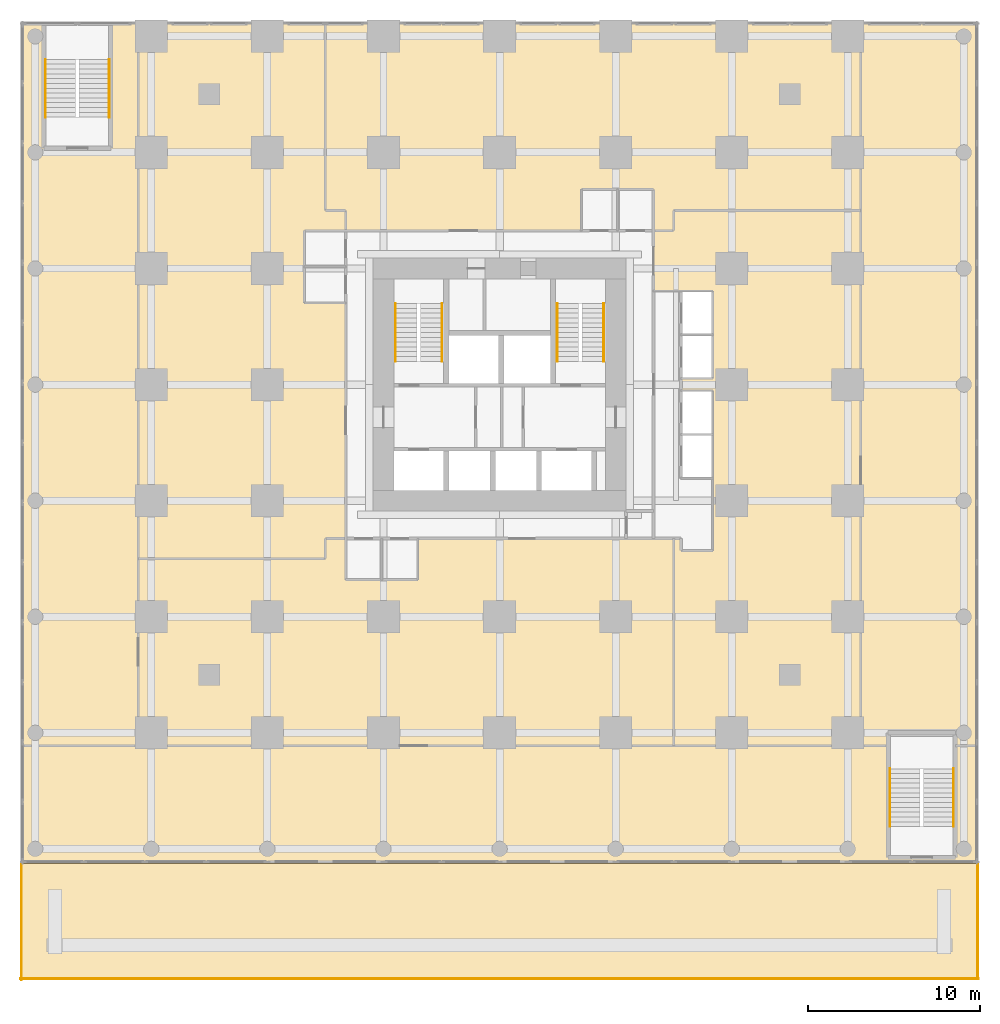
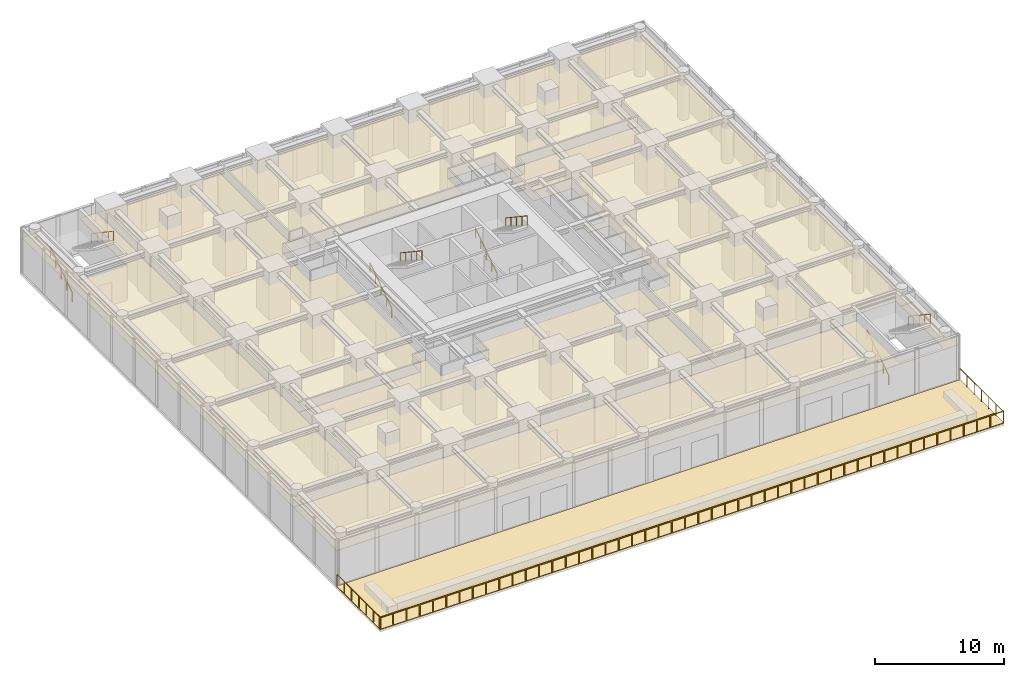
# One storey, part 10 of 10: 11 railings, 8 coverings.
"""IFC4 building model written with IfcOpenShell, lengths in metres."""

from ifc_helpers import new_model, si_unit, direction, frame, origin, origin_2d, place, context, subcontext, project, spatial, polyline, rectangle, outline, extrude, material, layer, layer_set, type_object, element, save


model = new_model("IFC4")

# Units and contexts
model_context = context("Model", 3, precision=1e-05, world=origin(), true_north=direction((0.0, 1.0)))
body_context = subcontext(model_context, "Body", "Model", "MODEL_VIEW")
ifc_project = project(units=[si_unit("LENGTHUNIT", "METRE"), si_unit("AREAUNIT", "SQUARE_METRE"), si_unit("VOLUMEUNIT", "CUBIC_METRE"), si_unit("PLANEANGLEUNIT", "RADIAN"), si_unit("MASSUNIT", "GRAM", prefix="KILO")], contexts=[model_context])

# Site, building, storey
site_placement = place(None, origin())
site = spatial("IfcSite", under=ifc_project, at=site_placement, CompositionType="ELEMENT")
building_placement = place(site_placement, origin())
building = spatial("IfcBuilding", under=site, at=building_placement, Name="Nyansa Garden Tower", CompositionType="ELEMENT")
storey_placement = place(building_placement, frame((0.0, 0.0, 9.0)))
storey = spatial("IfcBuildingStorey", under=building, at=storey_placement, Name="L02", CompositionType="ELEMENT", Elevation=9.0)

# Covering
ifc_material_1 = material(Name="Perforated timber acoustic ceiling", Category="wood")
ifc_layer_1 = layer(ifc_material_1, 0.02001953125)
ifc_layer_set_1 = layer_set([ifc_layer_1], Name="Acoustic ceiling CL20")
covering_type_1 = type_object("IfcCoveringType", Name="Acoustic ceiling CL20", PredefinedType="CEILING", material=ifc_layer_set_1)
covering_1_placement = place(storey_placement, frame((0.0, 0.0, 3.22998046875)))
element("IfcCovering", 1, at=covering_1_placement, inside=storey, type_object=covering_type_1, Name="Ceiling L02-020", PredefinedType="CEILING", context=body_context, shape_type="SweptSolid", body=[
    extrude(outline(polyline([(10.125, 10.125), (10.125, 11.300048828125), (11.300048828125, 11.300048828125), (11.300048828125, 8.89990234375), (15.5, 8.89990234375), (15.5, 11.300048828125), (30.375, 11.300048828125), (30.375, -0.75), (-0.75, -0.75), (-0.75, 10.125), (10.125, 10.125)])), origin(), (0.0, 0.0, 1.0), 0.02001953125),
])

# Railings
ifc_material_2 = material(Name="Black powder-coated steel tube 48 mm", Category="steel")
railing_type_1 = type_object("IfcRailingType", Name="Stair handrail HR1", PredefinedType="HANDRAIL", material=ifc_material_2)
railing_1_placement = place(storey_placement, frame((14.199951171875, 21.60009765625, 0.0)))
element("IfcRailing", 2, at=railing_1_placement, inside=storey, type_object=railing_type_1, Name="Stair S1 handrail L02", PredefinedType="HANDRAIL", context=body_context, shape_type="SweptSolid", body=[
    extrude(rectangle(XDim=0.048095703125, YDim=0.048095703125, at=origin_2d()), frame((0.0, 0.0, 0.8759765625), z_axis=(0.0, 0.830896709279, 0.556426687452), x_axis=(-1.0, 0.0, 0.0)), (0.0, 0.0, 1.0), 4.043701171875),
    extrude(rectangle(XDim=0.0419921875, YDim=0.0419921875, at=origin_2d()), origin(), (0.0, 0.0, 1.0), 0.851806640625),
    extrude(rectangle(XDim=0.0419921875, YDim=0.0419921875, at=origin_2d()), frame((0.0, 0.83984375, 0.5625)), (0.0, 0.0, 1.0), 0.851806640625),
    extrude(rectangle(XDim=0.0419921875, YDim=0.0419921875, at=origin_2d()), frame((0.0, 1.679931640625, 1.125)), (0.0, 0.0, 1.0), 0.851806640625),
    extrude(rectangle(XDim=0.0419921875, YDim=0.0419921875, at=origin_2d()), frame((0.0, 2.52001953125, 1.6875)), (0.0, 0.0, 1.0), 0.851806640625),
    extrude(rectangle(XDim=0.0419921875, YDim=0.0419921875, at=origin_2d()), frame((0.0, 3.35986328125, 2.25)), (0.0, 0.0, 1.0), 0.851806640625),
])
railing_2_placement = place(storey_placement, frame((16.89990234375, 24.9599609375, 2.25)))
element("IfcRailing", 3, at=railing_2_placement, inside=storey, type_object=railing_type_1, Name="Stair S1 handrail L02", PredefinedType="HANDRAIL", context=body_context, shape_type="SweptSolid", body=[
    extrude(rectangle(XDim=0.048095703125, YDim=0.048095703125, at=origin_2d()), frame((0.0, 0.0, 0.8759765625), z_axis=(0.0, -0.830896709279, 0.556426687452), x_axis=(1.0, 0.0, 0.0)), (0.0, 0.0, 1.0), 4.043701171875),
    extrude(rectangle(XDim=0.0419921875, YDim=0.0419921875, at=origin_2d()), origin(), (0.0, 0.0, 1.0), 0.851806640625),
    extrude(rectangle(XDim=0.0419921875, YDim=0.0419921875, at=origin_2d()), frame((0.0, -0.83984375, 0.5625)), (0.0, 0.0, 1.0), 0.851806640625),
    extrude(rectangle(XDim=0.0419921875, YDim=0.0419921875, at=origin_2d()), frame((0.0, -1.679931640625, 1.125)), (0.0, 0.0, 1.0), 0.851806640625),
    extrude(rectangle(XDim=0.0419921875, YDim=0.0419921875, at=origin_2d()), frame((0.0, -2.52001953125, 1.6875)), (0.0, 0.0, 1.0), 0.851806640625),
    extrude(rectangle(XDim=0.0419921875, YDim=0.0419921875, at=origin_2d()), frame((0.0, -3.35986328125, 2.25)), (0.0, 0.0, 1.0), 0.851806640625),
])
railing_3_placement = place(storey_placement, frame((23.60009765625, 21.60009765625, 0.0)))
element("IfcRailing", 4, at=railing_3_placement, inside=storey, type_object=railing_type_1, Name="Stair S2 handrail L02", PredefinedType="HANDRAIL", context=body_context, shape_type="SweptSolid", body=[
    extrude(rectangle(XDim=0.048095703125, YDim=0.048095703125, at=origin_2d()), frame((0.0, 0.0, 0.8759765625), z_axis=(0.0, 0.830896709279, 0.556426687452), x_axis=(-1.0, 0.0, 0.0)), (0.0, 0.0, 1.0), 4.043701171875),
    extrude(rectangle(XDim=0.0419921875, YDim=0.0419921875, at=origin_2d()), origin(), (0.0, 0.0, 1.0), 0.851806640625),
    extrude(rectangle(XDim=0.0419921875, YDim=0.0419921875, at=origin_2d()), frame((0.0, 0.83984375, 0.5625)), (0.0, 0.0, 1.0), 0.851806640625),
    extrude(rectangle(XDim=0.0419921875, YDim=0.0419921875, at=origin_2d()), frame((0.0, 1.679931640625, 1.125)), (0.0, 0.0, 1.0), 0.851806640625),
    extrude(rectangle(XDim=0.0419921875, YDim=0.0419921875, at=origin_2d()), frame((0.0, 2.52001953125, 1.6875)), (0.0, 0.0, 1.0), 0.851806640625),
    extrude(rectangle(XDim=0.0419921875, YDim=0.0419921875, at=origin_2d()), frame((0.0, 3.35986328125, 2.25)), (0.0, 0.0, 1.0), 0.851806640625),
])
railing_4_placement = place(storey_placement, frame((26.300048828125, 24.9599609375, 2.25)))
element("IfcRailing", 5, at=railing_4_placement, inside=storey, type_object=railing_type_1, Name="Stair S2 handrail L02", PredefinedType="HANDRAIL", context=body_context, shape_type="SweptSolid", body=[
    extrude(rectangle(XDim=0.048095703125, YDim=0.048095703125, at=origin_2d()), frame((0.0, 0.0, 0.8759765625), z_axis=(0.0, -0.830896709279, 0.556426687452), x_axis=(1.0, 0.0, 0.0)), (0.0, 0.0, 1.0), 4.043701171875),
    extrude(rectangle(XDim=0.0419921875, YDim=0.0419921875, at=origin_2d()), origin(), (0.0, 0.0, 1.0), 0.851806640625),
    extrude(rectangle(XDim=0.0419921875, YDim=0.0419921875, at=origin_2d()), frame((0.0, -0.83984375, 0.5625)), (0.0, 0.0, 1.0), 0.851806640625),
    extrude(rectangle(XDim=0.0419921875, YDim=0.0419921875, at=origin_2d()), frame((0.0, -1.679931640625, 1.125)), (0.0, 0.0, 1.0), 0.851806640625),
    extrude(rectangle(XDim=0.0419921875, YDim=0.0419921875, at=origin_2d()), frame((0.0, -2.52001953125, 1.6875)), (0.0, 0.0, 1.0), 0.851806640625),
    extrude(rectangle(XDim=0.0419921875, YDim=0.0419921875, at=origin_2d()), frame((0.0, -3.35986328125, 2.25)), (0.0, 0.0, 1.0), 0.851806640625),
])
railing_5_placement = place(storey_placement, frame((-6.14990234375, 35.800048828125, 0.0)))
element("IfcRailing", 6, at=railing_5_placement, inside=storey, type_object=railing_type_1, Name="Stair S3 handrail L02", PredefinedType="HANDRAIL", context=body_context, shape_type="SweptSolid", body=[
    extrude(rectangle(XDim=0.048095703125, YDim=0.048095703125, at=origin_2d()), frame((0.0, 0.0, 0.8759765625), z_axis=(0.0, 0.830896709279, 0.556426687452), x_axis=(-1.0, 0.0, 0.0)), (0.0, 0.0, 1.0), 4.043701171875),
    extrude(rectangle(XDim=0.0419921875, YDim=0.0419921875, at=origin_2d()), origin(), (0.0, 0.0, 1.0), 0.851806640625),
    extrude(rectangle(XDim=0.0419921875, YDim=0.0419921875, at=origin_2d()), frame((0.0, 0.83984375, 0.5625)), (0.0, 0.0, 1.0), 0.851806640625),
    extrude(rectangle(XDim=0.0419921875, YDim=0.0419921875, at=origin_2d()), frame((0.0, 1.679931640625, 1.125)), (0.0, 0.0, 1.0), 0.851806640625),
    extrude(rectangle(XDim=0.0419921875, YDim=0.0419921875, at=origin_2d()), frame((0.0, 2.52001953125, 1.6875)), (0.0, 0.0, 1.0), 0.851806640625),
    extrude(rectangle(XDim=0.0419921875, YDim=0.0419921875, at=origin_2d()), frame((0.0, 3.35986328125, 2.25)), (0.0, 0.0, 1.0), 0.851806640625),
])
railing_6_placement = place(storey_placement, frame((-2.449951171875, 39.159912109375, 2.25)))
element("IfcRailing", 7, at=railing_6_placement, inside=storey, type_object=railing_type_1, Name="Stair S3 handrail L02", PredefinedType="HANDRAIL", context=body_context, shape_type="SweptSolid", body=[
    extrude(rectangle(XDim=0.048095703125, YDim=0.048095703125, at=origin_2d()), frame((0.0, 0.0, 0.8759765625), z_axis=(0.0, -0.830896709279, 0.556426687452), x_axis=(1.0, 0.0, 0.0)), (0.0, 0.0, 1.0), 4.043701171875),
    extrude(rectangle(XDim=0.0419921875, YDim=0.0419921875, at=origin_2d()), origin(), (0.0, 0.0, 1.0), 0.851806640625),
    extrude(rectangle(XDim=0.0419921875, YDim=0.0419921875, at=origin_2d()), frame((0.0, -0.83984375, 0.5625)), (0.0, 0.0, 1.0), 0.851806640625),
    extrude(rectangle(XDim=0.0419921875, YDim=0.0419921875, at=origin_2d()), frame((0.0, -1.679931640625, 1.125)), (0.0, 0.0, 1.0), 0.851806640625),
    extrude(rectangle(XDim=0.0419921875, YDim=0.0419921875, at=origin_2d()), frame((0.0, -2.52001953125, 1.6875)), (0.0, 0.0, 1.0), 0.851806640625),
    extrude(rectangle(XDim=0.0419921875, YDim=0.0419921875, at=origin_2d()), frame((0.0, -3.35986328125, 2.25)), (0.0, 0.0, 1.0), 0.851806640625),
])
railing_7_placement = place(storey_placement, frame((42.949951171875, -5.449951171875, 0.0)))
element("IfcRailing", 8, at=railing_7_placement, inside=storey, type_object=railing_type_1, Name="Stair S4 handrail L02", PredefinedType="HANDRAIL", context=body_context, shape_type="SweptSolid", body=[
    extrude(rectangle(XDim=0.048095703125, YDim=0.048095703125, at=origin_2d()), frame((0.0, 0.0, 0.8759765625), z_axis=(0.0, 0.830896709279, 0.556426687452), x_axis=(-1.0, 0.0, 0.0)), (0.0, 0.0, 1.0), 4.043701171875),
    extrude(rectangle(XDim=0.0419921875, YDim=0.0419921875, at=origin_2d()), origin(), (0.0, 0.0, 1.0), 0.851806640625),
    extrude(rectangle(XDim=0.0419921875, YDim=0.0419921875, at=origin_2d()), frame((0.0, 0.83984375, 0.5625)), (0.0, 0.0, 1.0), 0.851806640625),
    extrude(rectangle(XDim=0.0419921875, YDim=0.0419921875, at=origin_2d()), frame((0.0, 1.679931640625, 1.125)), (0.0, 0.0, 1.0), 0.851806640625),
    extrude(rectangle(XDim=0.0419921875, YDim=0.0419921875, at=origin_2d()), frame((0.0, 2.52001953125, 1.6875)), (0.0, 0.0, 1.0), 0.851806640625),
    extrude(rectangle(XDim=0.0419921875, YDim=0.0419921875, at=origin_2d()), frame((0.0, 3.35986328125, 2.25)), (0.0, 0.0, 1.0), 0.851806640625),
])
railing_8_placement = place(storey_placement, frame((46.64990234375, -2.090087890625, 2.25)))
element("IfcRailing", 9, at=railing_8_placement, inside=storey, type_object=railing_type_1, Name="Stair S4 handrail L02", PredefinedType="HANDRAIL", context=body_context, shape_type="SweptSolid", body=[
    extrude(rectangle(XDim=0.048095703125, YDim=0.048095703125, at=origin_2d()), frame((0.0, 0.0, 0.8759765625), z_axis=(0.0, -0.830896709279, 0.556426687452), x_axis=(1.0, 0.0, 0.0)), (0.0, 0.0, 1.0), 4.043701171875),
    extrude(rectangle(XDim=0.0419921875, YDim=0.0419921875, at=origin_2d()), origin(), (0.0, 0.0, 1.0), 0.851806640625),
    extrude(rectangle(XDim=0.0419921875, YDim=0.0419921875, at=origin_2d()), frame((0.0, -0.83984375, 0.5625)), (0.0, 0.0, 1.0), 0.851806640625),
    extrude(rectangle(XDim=0.0419921875, YDim=0.0419921875, at=origin_2d()), frame((0.0, -1.679931640625, 1.125)), (0.0, 0.0, 1.0), 0.851806640625),
    extrude(rectangle(XDim=0.0419921875, YDim=0.0419921875, at=origin_2d()), frame((0.0, -2.52001953125, 1.6875)), (0.0, 0.0, 1.0), 0.851806640625),
    extrude(rectangle(XDim=0.0419921875, YDim=0.0419921875, at=origin_2d()), frame((0.0, -3.35986328125, 2.25)), (0.0, 0.0, 1.0), 0.851806640625),
])
ifc_material_3 = material(Name="Black powder-coated steel, laminated glass infill", Category="steel")
railing_type_2 = type_object("IfcRailingType", Name="Terrace guard G2", PredefinedType="GUARDRAIL", material=ifc_material_3)
railing_9_placement = place(storey_placement, frame((48.050048828125, -7.60009765625, 0.0)))
element("IfcRailing", 10, at=railing_9_placement, inside=storey, type_object=railing_type_2, Name="Terrace guard L02", PredefinedType="GUARDRAIL", context=body_context, shape_type="SweptSolid", body=[
    extrude(rectangle(XDim=0.048095703125, YDim=0.048095703125, at=origin_2d()), frame((0.0, 0.0, 1.076171875), z_axis=(0.0, -1.0, 0.0), x_axis=(1.0, 0.0, 0.0)), (0.0, 0.0, 1.0), 6.75),
    extrude(rectangle(XDim=0.0419921875, YDim=0.0419921875, at=origin_2d()), origin(), (0.0, 0.0, 1.0), 1.052001953125),
    extrude(rectangle(XDim=0.0419921875, YDim=0.0419921875, at=origin_2d()), frame((0.0, -1.125, 0.0)), (0.0, 0.0, 1.0), 1.052001953125),
    extrude(rectangle(XDim=0.0419921875, YDim=0.0419921875, at=origin_2d()), frame((0.0, -2.25, 0.0)), (0.0, 0.0, 1.0), 1.052001953125),
    extrude(rectangle(XDim=0.0419921875, YDim=0.0419921875, at=origin_2d()), frame((0.0, -3.375, 0.0)), (0.0, 0.0, 1.0), 1.052001953125),
    extrude(rectangle(XDim=0.0419921875, YDim=0.0419921875, at=origin_2d()), frame((0.0, -4.5, 0.0)), (0.0, 0.0, 1.0), 1.052001953125),
    extrude(rectangle(XDim=0.0419921875, YDim=0.0419921875, at=origin_2d()), frame((0.0, -5.625, 0.0)), (0.0, 0.0, 1.0), 1.052001953125),
    extrude(rectangle(XDim=0.0419921875, YDim=0.0419921875, at=origin_2d()), frame((0.0, -6.75, 0.0)), (0.0, 0.0, 1.0), 1.052001953125),
])
railing_10_placement = place(storey_placement, frame((48.10009765625, -14.300048828125, 0.0)))
element("IfcRailing", 11, at=railing_10_placement, inside=storey, type_object=railing_type_2, Name="Terrace guard L02", PredefinedType="GUARDRAIL", context=body_context, shape_type="SweptSolid", body=[
    extrude(rectangle(XDim=0.048095703125, YDim=0.048095703125, at=origin_2d()), frame((0.0, 0.0, 1.076171875), z_axis=(-1.0, 0.0, 0.0), x_axis=(0.0, -1.0, 0.0)), (0.0, 0.0, 1.0), 55.7001953125),
    extrude(rectangle(XDim=0.0419921875, YDim=0.0419921875, at=origin_2d()), origin(), (0.0, 0.0, 1.0), 1.052001953125),
    extrude(rectangle(XDim=0.0419921875, YDim=0.0419921875, at=origin_2d()), frame((-1.18505859375, 0.0, 0.0)), (0.0, 0.0, 1.0), 1.052001953125),
    extrude(rectangle(XDim=0.0419921875, YDim=0.0419921875, at=origin_2d()), frame((-2.3701171875, 0.0, 0.0)), (0.0, 0.0, 1.0), 1.052001953125),
    extrude(rectangle(XDim=0.0419921875, YDim=0.0419921875, at=origin_2d()), frame((-3.555419921875, 0.0, 0.0)), (0.0, 0.0, 1.0), 1.052001953125),
    extrude(rectangle(XDim=0.0419921875, YDim=0.0419921875, at=origin_2d()), frame((-4.740478515625, 0.0, 0.0)), (0.0, 0.0, 1.0), 1.052001953125),
    extrude(rectangle(XDim=0.0419921875, YDim=0.0419921875, at=origin_2d()), frame((-5.925537109375, 0.0, 0.0)), (0.0, 0.0, 1.0), 1.052001953125),
    extrude(rectangle(XDim=0.0419921875, YDim=0.0419921875, at=origin_2d()), frame((-7.110595703125, 0.0, 0.0)), (0.0, 0.0, 1.0), 1.052001953125),
    extrude(rectangle(XDim=0.0419921875, YDim=0.0419921875, at=origin_2d()), frame((-8.295654296875, 0.0, 0.0)), (0.0, 0.0, 1.0), 1.052001953125),
    extrude(rectangle(XDim=0.0419921875, YDim=0.0419921875, at=origin_2d()), frame((-9.48095703125, 0.0, 0.0)), (0.0, 0.0, 1.0), 1.052001953125),
    extrude(rectangle(XDim=0.0419921875, YDim=0.0419921875, at=origin_2d()), frame((-10.666015625, 0.0, 0.0)), (0.0, 0.0, 1.0), 1.052001953125),
    extrude(rectangle(XDim=0.0419921875, YDim=0.0419921875, at=origin_2d()), frame((-11.85107421875, 0.0, 0.0)), (0.0, 0.0, 1.0), 1.052001953125),
    extrude(rectangle(XDim=0.0419921875, YDim=0.0419921875, at=origin_2d()), frame((-13.0361328125, 0.0, 0.0)), (0.0, 0.0, 1.0), 1.052001953125),
    extrude(rectangle(XDim=0.0419921875, YDim=0.0419921875, at=origin_2d()), frame((-14.221435546875, 0.0, 0.0)), (0.0, 0.0, 1.0), 1.052001953125),
    extrude(rectangle(XDim=0.0419921875, YDim=0.0419921875, at=origin_2d()), frame((-15.406494140625, 0.0, 0.0)), (0.0, 0.0, 1.0), 1.052001953125),
    extrude(rectangle(XDim=0.0419921875, YDim=0.0419921875, at=origin_2d()), frame((-16.591552734375, 0.0, 0.0)), (0.0, 0.0, 1.0), 1.052001953125),
    extrude(rectangle(XDim=0.0419921875, YDim=0.0419921875, at=origin_2d()), frame((-17.776611328125, 0.0, 0.0)), (0.0, 0.0, 1.0), 1.052001953125),
    extrude(rectangle(XDim=0.0419921875, YDim=0.0419921875, at=origin_2d()), frame((-18.961669921875, 0.0, 0.0)), (0.0, 0.0, 1.0), 1.052001953125),
    extrude(rectangle(XDim=0.0419921875, YDim=0.0419921875, at=origin_2d()), frame((-20.14697265625, 0.0, 0.0)), (0.0, 0.0, 1.0), 1.052001953125),
    extrude(rectangle(XDim=0.0419921875, YDim=0.0419921875, at=origin_2d()), frame((-21.33203125, 0.0, 0.0)), (0.0, 0.0, 1.0), 1.052001953125),
    extrude(rectangle(XDim=0.0419921875, YDim=0.0419921875, at=origin_2d()), frame((-22.51708984375, 0.0, 0.0)), (0.0, 0.0, 1.0), 1.052001953125),
    extrude(rectangle(XDim=0.0419921875, YDim=0.0419921875, at=origin_2d()), frame((-23.7021484375, 0.0, 0.0)), (0.0, 0.0, 1.0), 1.052001953125),
    extrude(rectangle(XDim=0.0419921875, YDim=0.0419921875, at=origin_2d()), frame((-24.88720703125, 0.0, 0.0)), (0.0, 0.0, 1.0), 1.052001953125),
    extrude(rectangle(XDim=0.0419921875, YDim=0.0419921875, at=origin_2d()), frame((-26.072509765625, 0.0, 0.0)), (0.0, 0.0, 1.0), 1.052001953125),
    extrude(rectangle(XDim=0.0419921875, YDim=0.0419921875, at=origin_2d()), frame((-27.257568359375, 0.0, 0.0)), (0.0, 0.0, 1.0), 1.052001953125),
    extrude(rectangle(XDim=0.0419921875, YDim=0.0419921875, at=origin_2d()), frame((-28.442626953125, 0.0, 0.0)), (0.0, 0.0, 1.0), 1.052001953125),
    extrude(rectangle(XDim=0.0419921875, YDim=0.0419921875, at=origin_2d()), frame((-29.627685546875, 0.0, 0.0)), (0.0, 0.0, 1.0), 1.052001953125),
    extrude(rectangle(XDim=0.0419921875, YDim=0.0419921875, at=origin_2d()), frame((-30.81298828125, 0.0, 0.0)), (0.0, 0.0, 1.0), 1.052001953125),
    extrude(rectangle(XDim=0.0419921875, YDim=0.0419921875, at=origin_2d()), frame((-31.998046875, 0.0, 0.0)), (0.0, 0.0, 1.0), 1.052001953125),
    extrude(rectangle(XDim=0.0419921875, YDim=0.0419921875, at=origin_2d()), frame((-33.18310546875, 0.0, 0.0)), (0.0, 0.0, 1.0), 1.052001953125),
    extrude(rectangle(XDim=0.0419921875, YDim=0.0419921875, at=origin_2d()), frame((-34.3681640625, 0.0, 0.0)), (0.0, 0.0, 1.0), 1.052001953125),
    extrude(rectangle(XDim=0.0419921875, YDim=0.0419921875, at=origin_2d()), frame((-35.55322265625, 0.0, 0.0)), (0.0, 0.0, 1.0), 1.052001953125),
    extrude(rectangle(XDim=0.0419921875, YDim=0.0419921875, at=origin_2d()), frame((-36.738525390625, 0.0, 0.0)), (0.0, 0.0, 1.0), 1.052001953125),
    extrude(rectangle(XDim=0.0419921875, YDim=0.0419921875, at=origin_2d()), frame((-37.923583984375, 0.0, 0.0)), (0.0, 0.0, 1.0), 1.052001953125),
    extrude(rectangle(XDim=0.0419921875, YDim=0.0419921875, at=origin_2d()), frame((-39.108642578125, 0.0, 0.0)), (0.0, 0.0, 1.0), 1.052001953125),
    extrude(rectangle(XDim=0.0419921875, YDim=0.0419921875, at=origin_2d()), frame((-40.293701171875, 0.0, 0.0)), (0.0, 0.0, 1.0), 1.052001953125),
    extrude(rectangle(XDim=0.0419921875, YDim=0.0419921875, at=origin_2d()), frame((-41.478759765625, 0.0, 0.0)), (0.0, 0.0, 1.0), 1.052001953125),
    extrude(rectangle(XDim=0.0419921875, YDim=0.0419921875, at=origin_2d()), frame((-42.6640625, 0.0, 0.0)), (0.0, 0.0, 1.0), 1.052001953125),
    extrude(rectangle(XDim=0.0419921875, YDim=0.0419921875, at=origin_2d()), frame((-43.84912109375, 0.0, 0.0)), (0.0, 0.0, 1.0), 1.052001953125),
    extrude(rectangle(XDim=0.0419921875, YDim=0.0419921875, at=origin_2d()), frame((-45.0341796875, 0.0, 0.0)), (0.0, 0.0, 1.0), 1.052001953125),
    extrude(rectangle(XDim=0.0419921875, YDim=0.0419921875, at=origin_2d()), frame((-46.21923828125, 0.0, 0.0)), (0.0, 0.0, 1.0), 1.052001953125),
    extrude(rectangle(XDim=0.0419921875, YDim=0.0419921875, at=origin_2d()), frame((-47.404541015625, 0.0, 0.0)), (0.0, 0.0, 1.0), 1.052001953125),
    extrude(rectangle(XDim=0.0419921875, YDim=0.0419921875, at=origin_2d()), frame((-48.589599609375, 0.0, 0.0)), (0.0, 0.0, 1.0), 1.052001953125),
    extrude(rectangle(XDim=0.0419921875, YDim=0.0419921875, at=origin_2d()), frame((-49.774658203125, 0.0, 0.0)), (0.0, 0.0, 1.0), 1.052001953125),
    extrude(rectangle(XDim=0.0419921875, YDim=0.0419921875, at=origin_2d()), frame((-50.959716796875, 0.0, 0.0)), (0.0, 0.0, 1.0), 1.052001953125),
    extrude(rectangle(XDim=0.0419921875, YDim=0.0419921875, at=origin_2d()), frame((-52.144775390625, 0.0, 0.0)), (0.0, 0.0, 1.0), 1.052001953125),
    extrude(rectangle(XDim=0.0419921875, YDim=0.0419921875, at=origin_2d()), frame((-53.330078125, 0.0, 0.0)), (0.0, 0.0, 1.0), 1.052001953125),
    extrude(rectangle(XDim=0.0419921875, YDim=0.0419921875, at=origin_2d()), frame((-54.51513671875, 0.0, 0.0)), (0.0, 0.0, 1.0), 1.052001953125),
    extrude(rectangle(XDim=0.0419921875, YDim=0.0419921875, at=origin_2d()), frame((-55.7001953125, 0.0, 0.0)), (0.0, 0.0, 1.0), 1.052001953125),
])
railing_11_placement = place(storey_placement, frame((-7.550048828125, -14.35009765625, 0.0)))
element("IfcRailing", 12, at=railing_11_placement, inside=storey, type_object=railing_type_2, Name="Terrace guard L02", PredefinedType="GUARDRAIL", context=body_context, shape_type="SweptSolid", body=[
    extrude(rectangle(XDim=0.048095703125, YDim=0.048095703125, at=origin_2d()), frame((0.0, 0.0, 1.076171875), z_axis=(0.0, 1.0, 0.0), x_axis=(-1.0, 0.0, 0.0)), (0.0, 0.0, 1.0), 6.75),
    extrude(rectangle(XDim=0.0419921875, YDim=0.0419921875, at=origin_2d()), origin(), (0.0, 0.0, 1.0), 1.052001953125),
    extrude(rectangle(XDim=0.0419921875, YDim=0.0419921875, at=origin_2d()), frame((0.0, 1.125, 0.0)), (0.0, 0.0, 1.0), 1.052001953125),
    extrude(rectangle(XDim=0.0419921875, YDim=0.0419921875, at=origin_2d()), frame((0.0, 2.25, 0.0)), (0.0, 0.0, 1.0), 1.052001953125),
    extrude(rectangle(XDim=0.0419921875, YDim=0.0419921875, at=origin_2d()), frame((0.0, 3.375, 0.0)), (0.0, 0.0, 1.0), 1.052001953125),
    extrude(rectangle(XDim=0.0419921875, YDim=0.0419921875, at=origin_2d()), frame((0.0, 4.5, 0.0)), (0.0, 0.0, 1.0), 1.052001953125),
    extrude(rectangle(XDim=0.0419921875, YDim=0.0419921875, at=origin_2d()), frame((0.0, 5.625, 0.0)), (0.0, 0.0, 1.0), 1.052001953125),
    extrude(rectangle(XDim=0.0419921875, YDim=0.0419921875, at=origin_2d()), frame((0.0, 6.75, 0.0)), (0.0, 0.0, 1.0), 1.052001953125),
])

# Coverings
ifc_material_4 = material(Name="Terracotta and turquoise glazed tile paving on pedestals", Category="masonry")
ifc_layer_2 = layer(ifc_material_4, 0.06005859375)
ifc_layer_set_2 = layer_set([ifc_layer_2], Name="Terrace paving PV60")
covering_type_2 = type_object("IfcCoveringType", Name="Terrace paving PV60", PredefinedType="USERDEFINED", material=ifc_layer_set_2)
covering_2_placement = place(storey_placement, frame((0.0, 0.0, -0.06005859375)))
element("IfcCovering", 13, at=covering_2_placement, inside=storey, type_object=covering_type_2, Name="Terrace paving L02", ObjectType="PAVING", PredefinedType="USERDEFINED", context=body_context, shape_type="SweptSolid", body=[
    extrude(outline(polyline([(-7.60009765625, -14.35009765625), (-7.60009765625, -7.60009765625), (48.10009765625, -7.60009765625), (48.10009765625, -14.35009765625), (-7.60009765625, -14.35009765625)])), origin(), (0.0, 0.0, 1.0), 0.06005859375),
])
ifc_material_5 = material(Name="Glazed ceramic tile coffers on suspended grid")
ifc_layer_3 = layer(ifc_material_5, 0.0400390625)
ifc_layer_set_3 = layer_set([ifc_layer_3], Name="Tiled coffered ceiling CL40")
covering_type_3 = type_object("IfcCoveringType", Name="Tiled coffered ceiling CL40", PredefinedType="CEILING", material=ifc_layer_set_3)
covering_3_placement = place(storey_placement, frame((0.0, 0.0, 3.2099609375)))
element("IfcCovering", 14, at=covering_3_placement, inside=storey, type_object=covering_type_3, Name="Ceiling L02-023", PredefinedType="CEILING", context=body_context, shape_type="SweptSolid", body=[
    extrude(outline(polyline([(30.800048828125, 11.300048828125), (30.800048828125, 10.60009765625), (32.64990234375, 10.60009765625), (32.64990234375, 19.89990234375), (30.800048828125, 19.89990234375), (30.800048828125, 20.60009765625), (32.64990234375, 20.60009765625), (32.64990234375, 25.699951171875), (29.199951171875, 25.699951171875), (29.199951171875, 29.199951171875), (30.375, 29.199951171875), (30.375, 30.375), (41.25, 30.375), (41.25, -0.75), (30.375, -0.75), (30.375, 11.300048828125), (30.800048828125, 11.300048828125)])), origin(), (0.0, 0.0, 1.0), 0.0400390625),
])
covering_4_placement = place(storey_placement, frame((0.0, 0.0, 3.2099609375)))
element("IfcCovering", 15, at=covering_4_placement, inside=storey, type_object=covering_type_3, Name="Ceiling L02-026", PredefinedType="CEILING", context=body_context, shape_type="SweptSolid", body=[
    extrude(outline(polyline([(41.25, 30.375), (30.375, 30.375), (30.375, 29.199951171875), (29.199951171875, 29.199951171875), (29.199951171875, 31.60009765625), (25.0, 31.60009765625), (25.0, 29.199951171875), (11.300048828125, 29.199951171875), (11.300048828125, 30.375), (10.125, 30.375), (10.125, 41.25), (41.25, 41.25), (41.25, 30.375)])), origin(), (0.0, 0.0, 1.0), 0.0400390625),
])
covering_5_placement = place(storey_placement, frame((0.0, 0.0, 3.2099609375)))
element("IfcCovering", 16, at=covering_5_placement, inside=storey, type_object=covering_type_3, Name="Ceiling L02-029", PredefinedType="CEILING", context=body_context, shape_type="SweptSolid", body=[
    extrude(outline(polyline([(10.125, 41.25), (10.125, 30.375), (11.300048828125, 30.375), (11.300048828125, 29.199951171875), (8.89990234375, 29.199951171875), (8.89990234375, 25.0), (11.300048828125, 25.0), (11.300048828125, 11.300048828125), (10.125, 11.300048828125), (10.125, 10.125), (-0.75, 10.125), (-0.75, 41.25), (10.125, 41.25)])), origin(), (0.0, 0.0, 1.0), 0.0400390625),
])
covering_6_placement = place(storey_placement, frame((0.0, 0.0, 3.2099609375)))
element("IfcCovering", 17, at=covering_6_placement, inside=storey, type_object=covering_type_3, Name="Ceiling L02-030", PredefinedType="CEILING", context=body_context, shape_type="SweptSolid", body=[
    extrude(outline(polyline([(-7.5, -7.5), (-7.5, -0.75), (42.85009765625, -0.75), (42.85009765625, -7.25), (46.75, -7.25), (46.75, -0.75), (48.0, -0.75), (48.0, -7.5), (-7.5, -7.5)])), origin(), (0.0, 0.0, 1.0), 0.0400390625),
])
covering_7_placement = place(storey_placement, frame((0.0, 0.0, 3.2099609375)))
element("IfcCovering", 18, at=covering_7_placement, inside=storey, type_object=covering_type_3, Name="Ceiling L02-031", PredefinedType="CEILING", context=body_context, shape_type="SweptSolid", body=[
    extrude(outline(polyline([(-7.5, 41.25), (-6.25, 41.25), (-6.25, 34.0), (-2.35009765625, 34.0), (-2.35009765625, 41.25), (-0.75, 41.25), (-0.75, -0.75), (-7.5, -0.75), (-7.5, 41.25)])), origin(), (0.0, 0.0, 1.0), 0.0400390625),
])
covering_8_placement = place(storey_placement, frame((0.0, 0.0, 3.2099609375)))
element("IfcCovering", 19, at=covering_8_placement, inside=storey, type_object=covering_type_3, Name="Ceiling L02-032", PredefinedType="CEILING", context=body_context, shape_type="SweptSolid", body=[
    extrude(outline(polyline([(48.0, 41.25), (48.0, -0.75), (46.75, -0.75), (46.75, 0.0), (42.85009765625, 0.0), (42.85009765625, -0.75), (41.25, -0.75), (41.25, 41.25), (48.0, 41.25)])), origin(), (0.0, 0.0, 1.0), 0.0400390625),
])

save(model, "model.ifc")
